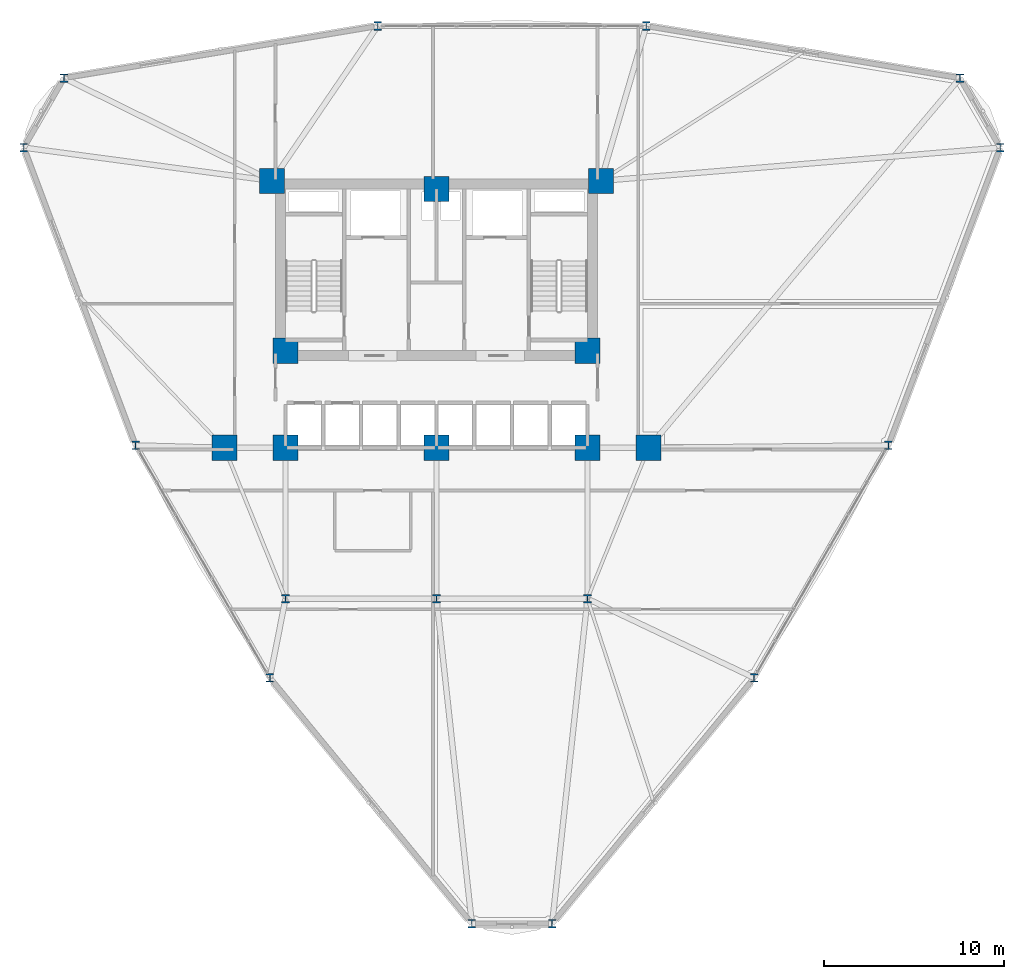
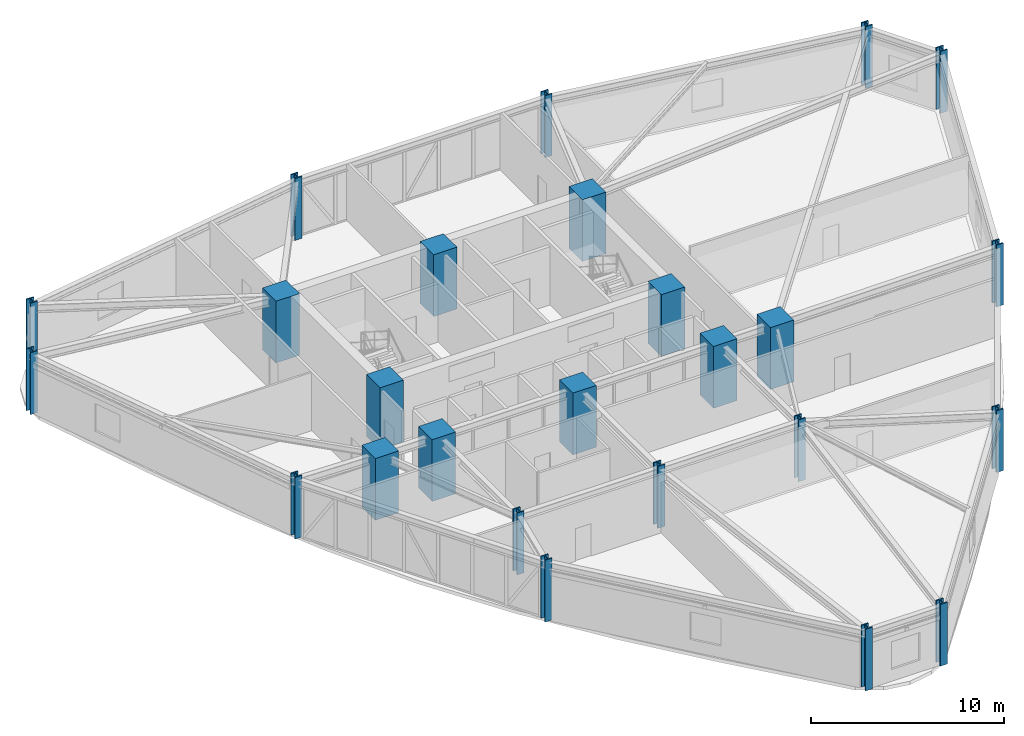
# One storey, part 1 of 20: 25 columns.
"""IFC4 building model written with IfcOpenShell, lengths in metres."""

from ifc_helpers import new_model, si_unit, derived_unit, direction, frame, origin, origin_2d, place, context, subcontext, project, spatial, rectangle, i_section, extrude, source, transform, mapped, material, material_profile, profile_set, type_object, element, save


model = new_model("IFC4")

# Units and contexts
model_context = context("Model", 3, precision=1e-05, world=origin(), true_north=direction((0.0, 1.0)))
body_context = subcontext(model_context, "Body", "Model", "MODEL_VIEW")
ifc_project = project(units=[si_unit("LENGTHUNIT", "METRE"), si_unit("AREAUNIT", "SQUARE_METRE"), si_unit("VOLUMEUNIT", "CUBIC_METRE"), si_unit("PLANEANGLEUNIT", "RADIAN"), si_unit("MASSUNIT", "GRAM", prefix="KILO"), derived_unit("THERMALTRANSMITTANCEUNIT", [(si_unit("POWERUNIT", "WATT"), 1), (si_unit("LENGTHUNIT", "METRE"), -2), (si_unit("THERMODYNAMICTEMPERATUREUNIT", "KELVIN"), -1)])], contexts=[model_context])

# Site, building, storey
site_placement = place(None, origin())
site = spatial("IfcSite", under=ifc_project, at=site_placement, CompositionType="ELEMENT")
building_placement = place(site_placement, origin())
building = spatial("IfcBuilding", under=site, at=building_placement, Name="Korsvarv Bourse and Concert Hall", CompositionType="ELEMENT")
storey_placement = place(building_placement, frame((0.0, 0.0, 79.5)))
storey = spatial("IfcBuildingStorey", under=building, at=storey_placement, Name="L19", CompositionType="ELEMENT", Elevation=79.5)

# Columns
ifc_material_1 = material(Name="Concrete C60/75", Category="concrete")
ifc_material_profile_1 = material_profile(ifc_material_1, rectangle(XDim=1.39990234375, YDim=1.39990234375, at=origin_2d()), Name="RC 1400x1400")
ifc_profile_set_1 = profile_set([ifc_material_profile_1], Name="Concrete C60/75")
column_type_1 = type_object("IfcColumnType", Name="COL-RC1400", PredefinedType="COLUMN", material=ifc_profile_set_1)
shared_shape_1 = source(origin(), body_context, "Body", "SweptSolid", [
    extrude(rectangle(XDim=1.39990234375, YDim=1.39990234375, at=origin_2d()), origin(), (0.0, 0.0, 1.0), 3.89990234375),
])
for number, where, z_axis, x_axis, name in (
    (1, (26.85009765625, 47.25, 0.0), (0.0, 0.0, 1.0), (1.0, 0.0, 0.0), "L19 column C-01"),
    (2, (45.14990234375, 47.25, 0.0), (0.0, 0.0, 1.0), (1.0, 0.0, 0.0), "L19 column C-01"),
    (3, (27.60009765625, 37.800048828125, 0.0), (0.0, 0.0, 1.0), (1.0, 0.0, 0.0), "L19 column C-01"),
    (4, (44.39990234375, 37.800048828125, 0.0), (0.0, 0.0, 1.0), (1.0, 0.0, 0.0), "L19 column C-01"),
    (5, (27.60009765625, 32.39990234375, 0.0), (0.0, 0.0, 1.0), (1.0, 0.0, 0.0), "L19 column C-01"),
    (6, (44.39990234375, 32.39990234375, 0.0), (0.0, 0.0, 1.0), (1.0, 0.0, 0.0), "L19 column C-01"),
    (7, (36.0, 46.800048828125, 0.0), (0.0, 0.0, 1.0), (1.0, 0.0, 0.0), "L19 column C-01"),
    (8, (36.0, 32.39990234375, 0.0), (0.0, 0.0, 1.0), (1.0, 0.0, 0.0), "L19 column C-01"),
    (9, (24.199951171875, 32.39990234375, 0.0), (0.0, 0.0, 1.0), (1.0, 0.0, 0.0), "L19 column C-01"),
    (10, (47.800048828125, 32.39990234375, 0.0), (0.0, 0.0, 1.0), (1.0, 0.0, 0.0), "L19 column C-01"),
):
    element("IfcColumn", number, at=place(storey_placement, frame(where, z_axis=z_axis, x_axis=x_axis)), inside=storey, type_object=column_type_1, Name=name, PredefinedType="COLUMN", context=body_context, shape_type="MappedRepresentation", body=[
        mapped(shared_shape_1, transform((0.0, 0.0, 0.0), scale=1.0)),
    ])
ifc_material_2 = material(Name="Steel S460", Category="steel")
ifc_material_profile_2 = material_profile(ifc_material_2, i_section(OverallWidth=0.424072265625, OverallDepth=0.47412109375, WebThickness=0.044921875, FlangeThickness=0.072021484375, FilletRadius=0.014892578125, at=origin_2d()), Name="HD 400x634")
ifc_profile_set_2 = profile_set([ifc_material_profile_2], Name="Steel S460")
column_type_2 = type_object("IfcColumnType", Name="COL-HD634", PredefinedType="COLUMN", material=ifc_profile_set_2)
shared_shape_2 = source(origin(), body_context, "Body", "SweptSolid", [
    extrude(i_section(OverallWidth=0.424072265625, OverallDepth=0.47412109375, WebThickness=0.044921875, FlangeThickness=0.072021484375, FilletRadius=0.014892578125, at=origin_2d()), origin(), (0.0, 0.0, 1.0), 3.89990234375),
])
for number, where, z_axis, x_axis, name in (
    (11, (27.60009765625, 24.0, 0.0), (0.0, 0.0, 1.0), (1.0, 0.0, 0.0), "L19 column C-07"),
    (12, (44.39990234375, 24.0, 0.0), (0.0, 0.0, 1.0), (1.0, 0.0, 0.0), "L19 column C-07"),
    (13, (36.0, 24.0, 0.0), (0.0, 0.0, 1.0), (1.0, 0.0, 0.0), "L19 column C-07"),
    (14, (67.3623046875, 49.102294921875, 0.0), (0.0, 0.0, 1.0), (1.0, 0.0, 0.0), "L19 column C-07"),
    (15, (65.1279296875, 52.971923828125, 0.0), (0.0, 0.0, 1.0), (1.0, 0.0, 0.0), "L19 column C-07"),
    (16, (47.668701171875, 55.86767578125, 0.0), (0.0, 0.0, 1.0), (1.0, 0.0, 0.0), "L19 column C-07"),
    (17, (32.731201171875, 55.86767578125, 0.0), (0.0, 0.0, 1.0), (1.0, 0.0, 0.0), "L19 column C-07"),
    (18, (15.27197265625, 52.971923828125, 0.0), (0.0, 0.0, 1.0), (1.0, 0.0, 0.0), "L19 column C-07"),
    (19, (13.037841796875, 49.102294921875, 0.0), (0.0, 0.0, 1.0), (1.0, 0.0, 0.0), "L19 column C-07"),
    (20, (19.259765625, 32.5341796875, 0.0), (0.0, 0.0, 1.0), (1.0, 0.0, 0.0), "L19 column C-07"),
    (21, (26.728515625, 19.59814453125, 0.0), (0.0, 0.0, 1.0), (1.0, 0.0, 0.0), "L19 column C-07"),
    (22, (37.9658203125, 5.92578125, 0.0), (0.0, 0.0, 1.0), (1.0, 0.0, 0.0), "L19 column C-07"),
    (23, (42.43408203125, 5.92578125, 0.0), (0.0, 0.0, 1.0), (1.0, 0.0, 0.0), "L19 column C-07"),
    (24, (53.671630859375, 19.59814453125, 0.0), (0.0, 0.0, 1.0), (1.0, 0.0, 0.0), "L19 column C-07"),
    (25, (61.140380859375, 32.5341796875, 0.0), (0.0, 0.0, 1.0), (1.0, 0.0, 0.0), "L19 column C-07"),
):
    element("IfcColumn", number, at=place(storey_placement, frame(where, z_axis=z_axis, x_axis=x_axis)), inside=storey, type_object=column_type_2, Name=name, PredefinedType="COLUMN", context=body_context, shape_type="MappedRepresentation", body=[
        mapped(shared_shape_2, transform((0.0, 0.0, 0.0), scale=1.0)),
    ])

save(model, "model.ifc")
